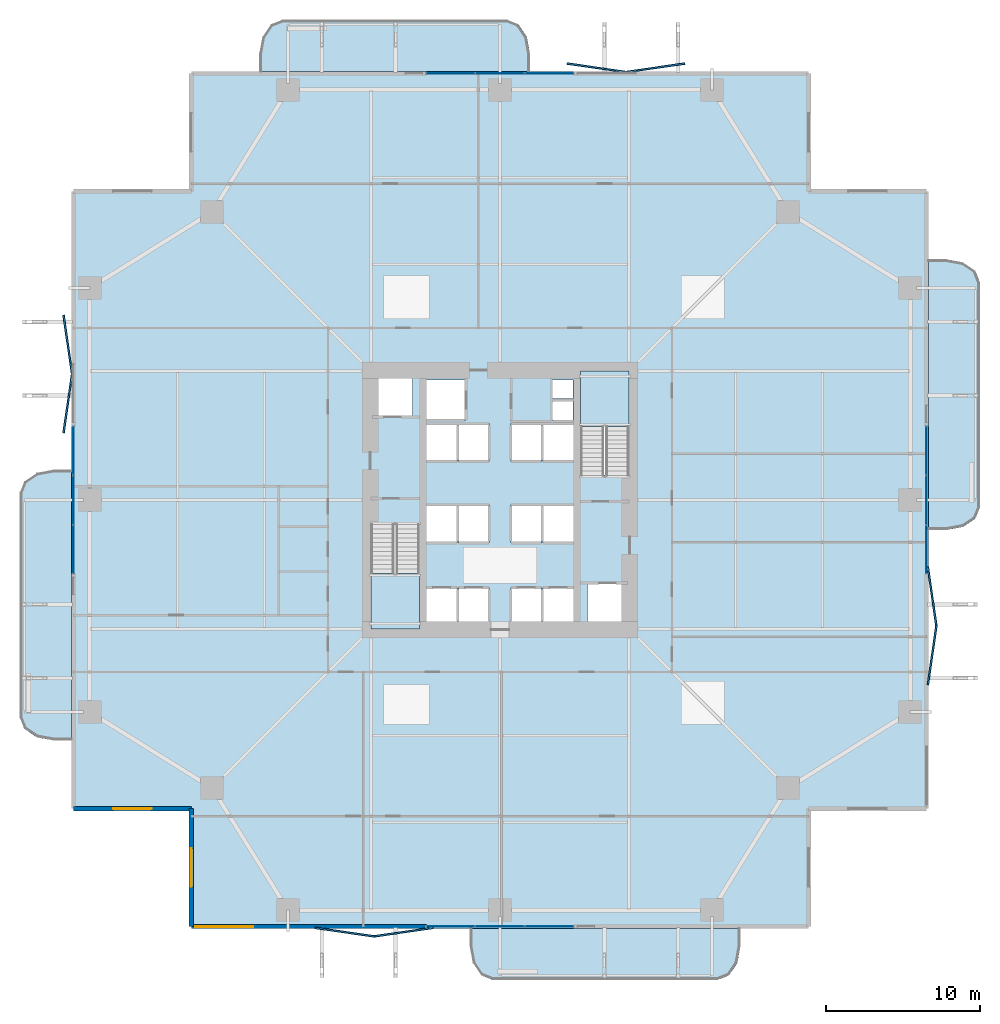
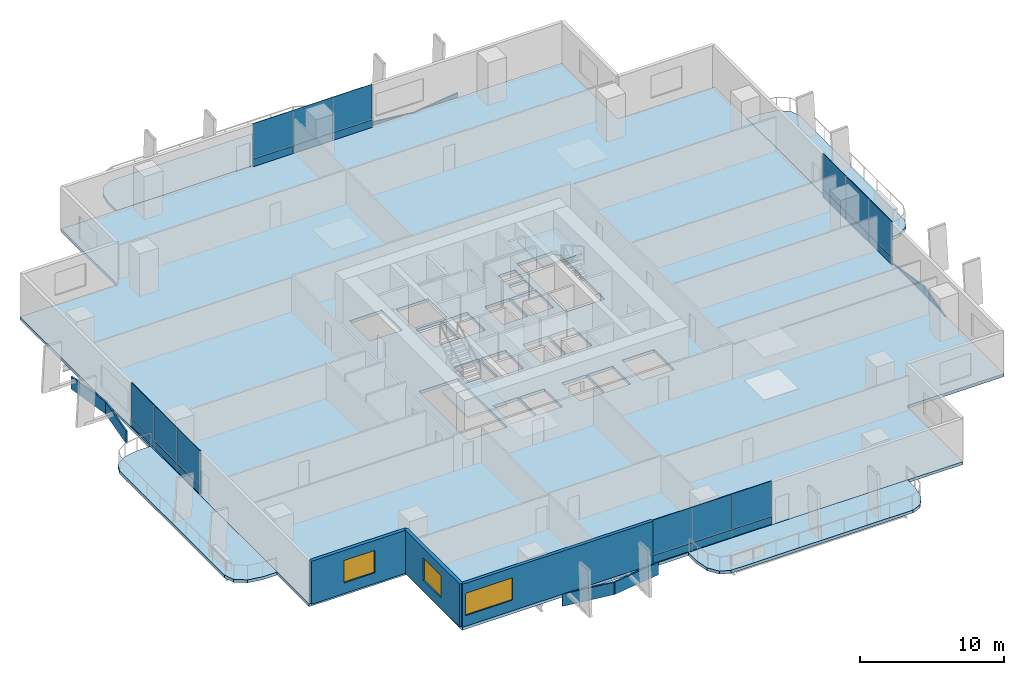
# One storey, part 16 of 24: 32 plates, 7 slabs, 3 walls, 3 windows, 3 openings, 6 elements without a shape of their own.
"""IFC4 building model written with IfcOpenShell, lengths in metres."""

from ifc_helpers import new_model, si_unit, direction, frame, frame_2d, origin, origin_2d, place, context, subcontext, project, spatial, polyline, rectangle, outline, extrude, material, layer, layer_set, type_object, element, fill, aggregate, save


model = new_model("IFC4")

# Units and contexts
model_context = context("Model", 3, precision=1e-05, world=origin(), true_north=direction((0.0, 1.0)))
body_context = subcontext(model_context, "Body", "Model", "MODEL_VIEW")
ifc_project = project(units=[si_unit("LENGTHUNIT", "METRE"), si_unit("AREAUNIT", "SQUARE_METRE"), si_unit("VOLUMEUNIT", "CUBIC_METRE"), si_unit("PLANEANGLEUNIT", "RADIAN"), si_unit("MASSUNIT", "GRAM", prefix="KILO")], contexts=[model_context])

# Site, building, storey
site_placement = place(None, origin())
site = spatial("IfcSite", under=ifc_project, at=site_placement, CompositionType="ELEMENT")
building_placement = place(site_placement, origin())
building = spatial("IfcBuilding", under=site, at=building_placement, Name="Belovzor Exchange Tower", CompositionType="ELEMENT")
storey_placement = place(building_placement, frame((0.0, 0.0, 49.5)))
storey = spatial("IfcBuildingStorey", under=building, at=storey_placement, Name="L11", CompositionType="ELEMENT", Elevation=49.5)

# Slab
ifc_material_1 = material(Name="Concrete C40/50", Category="concrete")
ifc_layer_1 = layer(ifc_material_1, 0.25)
ifc_layer_set_1 = layer_set([ifc_layer_1], Name="Concrete C40/50")
slab_type_1 = type_object("IfcSlabType", Name="Composite Concrete Floor Deck Slab 250", PredefinedType="FLOOR", material=ifc_layer_set_1)
slab_1_placement = place(storey_placement, frame((0.0, 0.0, -0.25)))
element("IfcSlab", 1, at=slab_1_placement, inside=storey, type_object=slab_type_1, Name="SL-F250 Structural Slab L11", PredefinedType="FLOOR", context=body_context, shape_type="SweptSolid", body=[
    extrude(outline(polyline([(8.699951171875, 0.89990234375), (48.89990234375, 0.89990234375), (48.89990234375, 8.699951171875), (56.699951171875, 8.699951171875), (56.699951171875, 48.89990234375), (48.89990234375, 48.89990234375), (48.89990234375, 56.699951171875), (8.699951171875, 56.699951171875), (8.699951171875, 48.89990234375), (0.89990234375, 48.89990234375), (0.89990234375, 8.699951171875), (8.699951171875, 8.699951171875), (8.699951171875, 0.89990234375)]), holes=[polyline([(20.39990234375, 27.175048828125), (20.39990234375, 20.39990234375), (23.550048828125, 20.39990234375), (23.550048828125, 27.175048828125), (20.39990234375, 27.175048828125)]), polyline([(37.199951171875, 30.425048828125), (37.199951171875, 37.199951171875), (34.050048828125, 37.199951171875), (34.050048828125, 30.425048828125), (37.199951171875, 30.425048828125)]), polyline([(20.5, 34.199951171875), (23.10009765625, 34.199951171875), (23.10009765625, 37.0), (20.5, 37.0), (20.5, 34.199951171875)]), polyline([(34.5, 20.60009765625), (37.10009765625, 20.60009765625), (37.10009765625, 23.39990234375), (34.5, 23.39990234375), (34.5, 20.60009765625)]), polyline([(24.0, 34.0), (26.60009765625, 34.0), (26.60009765625, 36.60009765625), (24.0, 36.60009765625), (24.0, 34.0)]), polyline([(24.0, 20.60009765625), (26.0, 20.60009765625), (26.0, 23.10009765625), (24.0, 23.10009765625), (24.0, 20.60009765625)]), polyline([(26.10009765625, 20.60009765625), (28.10009765625, 20.60009765625), (28.10009765625, 23.10009765625), (26.10009765625, 23.10009765625), (26.10009765625, 20.60009765625)]), polyline([(29.5, 20.60009765625), (31.5, 20.60009765625), (31.5, 23.10009765625), (29.5, 23.10009765625), (29.5, 20.60009765625)]), polyline([(31.60009765625, 20.60009765625), (33.60009765625, 20.60009765625), (33.60009765625, 23.10009765625), (31.60009765625, 23.10009765625), (31.60009765625, 20.60009765625)]), polyline([(24.0, 26.0), (26.0, 26.0), (26.0, 28.5), (24.0, 28.5), (24.0, 26.0)]), polyline([(26.10009765625, 26.0), (28.10009765625, 26.0), (28.10009765625, 28.5), (26.10009765625, 28.5), (26.10009765625, 26.0)]), polyline([(29.5, 26.0), (31.5, 26.0), (31.5, 28.5), (29.5, 28.5), (29.5, 26.0)]), polyline([(31.60009765625, 26.0), (33.60009765625, 26.0), (33.60009765625, 28.5), (31.60009765625, 28.5), (31.60009765625, 26.0)]), polyline([(24.0, 31.300048828125), (26.0, 31.300048828125), (26.0, 33.800048828125), (24.0, 33.800048828125), (24.0, 31.300048828125)]), polyline([(26.10009765625, 31.300048828125), (28.10009765625, 31.300048828125), (28.10009765625, 33.800048828125), (26.10009765625, 33.800048828125), (26.10009765625, 31.300048828125)]), polyline([(29.5, 31.300048828125), (31.5, 31.300048828125), (31.5, 33.800048828125), (29.5, 33.800048828125), (29.5, 31.300048828125)]), polyline([(31.60009765625, 31.300048828125), (33.60009765625, 31.300048828125), (33.60009765625, 33.800048828125), (31.60009765625, 33.800048828125), (31.60009765625, 31.300048828125)]), polyline([(32.199951171875, 34.0), (33.550048828125, 34.0), (33.550048828125, 35.199951171875), (32.199951171875, 35.199951171875), (32.199951171875, 34.0)]), polyline([(32.199951171875, 35.39990234375), (33.550048828125, 35.39990234375), (33.550048828125, 36.60009765625), (32.199951171875, 36.60009765625), (32.199951171875, 35.39990234375)])]), origin(), (0.0, 0.0, 1.0), 0.25),
])

# Plates
ifc_material_2 = material(Name="Extruded Architectural Terracotta", Category="masonry")
ifc_layer_2 = layer(ifc_material_2, 0.1201171875)
ifc_layer_set_2 = layer_set([ifc_layer_2], Name="Extruded Architectural Terracotta")
plate_type_1 = type_object("IfcPlateType", Name="Folded Zigzag Terracotta Spandrel Louvre 80", PredefinedType="USERDEFINED", material=ifc_layer_set_2)
for number, where, z_axis, x_axis, name in (
    (2, (18.699951171875, 0.6650390625, -1.03515625), (0.0, 0.0, 1.0), (0.989686419138, -0.143250800258, 0.0), "LVR-ZZ1 Zigzag Terracotta Spandrel Louvre L11 S1A"),
    (3, (22.5, 0.6650390625, -1.03515625), (0.0, 0.0, 1.0), (0.989686419138, 0.143250800258, 0.0), "LVR-ZZ1 Zigzag Terracotta Spandrel Louvre L11 S1B"),
    (4, (56.93505859375, 18.699951171875, -1.03515625), (0.0, 0.0, 1.0), (0.143250800258, 0.989686419138, 0.0), "LVR-ZZ1 Zigzag Terracotta Spandrel Louvre L11 E1A"),
    (5, (56.93505859375, 22.5, -1.03515625), (0.0, 0.0, 1.0), (-0.143250800258, 0.989686419138, 0.0), "LVR-ZZ1 Zigzag Terracotta Spandrel Louvre L11 E1B"),
    (6, (35.10009765625, 56.93505859375, -1.03515625), (0.0, 0.0, 1.0), (0.989686419138, -0.143250800258, 0.0), "LVR-ZZ1 Zigzag Terracotta Spandrel Louvre L11 N2A"),
    (7, (38.89990234375, 56.93505859375, -1.03515625), (0.0, 0.0, 1.0), (0.989686419138, 0.143250800258, 0.0), "LVR-ZZ1 Zigzag Terracotta Spandrel Louvre L11 N2B"),
    (8, (0.6650390625, 35.10009765625, -1.03515625), (0.0, 0.0, 1.0), (0.143250800258, 0.989686419138, 0.0), "LVR-ZZ1 Zigzag Terracotta Spandrel Louvre L11 W2A"),
    (9, (0.6650390625, 38.89990234375, -1.03515625), (0.0, 0.0, 1.0), (-0.143250800258, 0.989686419138, 0.0), "LVR-ZZ1 Zigzag Terracotta Spandrel Louvre L11 W2B"),
):
    element("IfcPlate", number, at=place(storey_placement, frame(where, z_axis=z_axis, x_axis=x_axis)), inside=storey, type_object=plate_type_1, Name=name, ObjectType="SPANDREL_LOUVRE", PredefinedType="USERDEFINED", context=body_context, shape_type="SweptSolid", body=[
        extrude(rectangle(XDim=3.919921875, YDim=0.1201171875, at=origin_2d()), origin(), (0.0, 0.0, 1.0), 1.050048828125),
    ])

# Curtain wall, plates
ifc_material_3 = material(Name="Anodised Aluminium Framing", Category="aluminium")
ifc_layer_3 = layer(ifc_material_3, 0.179931640625)
ifc_layer_set_3 = layer_set([ifc_layer_3], Name="Anodised Aluminium Framing")
curtain_wall_type = type_object("IfcCurtainWallType", Name="Recessed Loggia Low-Iron Triple-Glazed Curtain Wall", PredefinedType="NOTDEFINED", material=ifc_layer_set_3)
curtain_wall_1_placement = place(storey_placement, origin())
curtain_wall_1 = element("IfcCurtainWall", 10, at=curtain_wall_1_placement, inside=storey, type_object=curtain_wall_type, Name="CW3 Recessed Loggia Low-Iron Triple-Glazed Curtain Wall L11", PredefinedType="NOTDEFINED")
ifc_material_4 = material(Name="Solar-Control Triple Glazing", Category="glass")
ifc_layer_4 = layer(ifc_material_4, 0.0439453125)
ifc_layer_set_4 = layer_set([ifc_layer_4], Name="Solar-Control Triple Glazing")
plate_type_2 = type_object("IfcPlateType", Name="Insulated Solar Glazing Curtain Panel 44", PredefinedType="CURTAIN_PANEL", material=ifc_layer_set_4)
plate_1_placement = place(storey_placement, frame((32.0, 1.030029296875, 0.65185546875), z_axis=(0.0, 0.0, 1.0), x_axis=(-1.0, 0.0, 0.0)))
plate_1 = element("IfcPlate", 11, at=plate_1_placement, type_object=plate_type_2, Name="GLZ-44 Glazed Curtain Panel 1", PredefinedType="CURTAIN_PANEL", context=body_context, shape_type="SweptSolid", body=[
    extrude(rectangle(XDim=3.18408203125, YDim=0.0439453125, at=origin_2d()), origin(), (0.0, 0.0, 1.0), 2.998046875),
])
plate_2_placement = place(storey_placement, frame((28.800048828125, 1.030029296875, 0.65185546875), z_axis=(0.0, 0.0, 1.0), x_axis=(-1.0, 0.0, 0.0)))
plate_2 = element("IfcPlate", 12, at=plate_2_placement, type_object=plate_type_2, Name="GLZ-44 Glazed Curtain Panel 2", PredefinedType="CURTAIN_PANEL", context=body_context, shape_type="SweptSolid", body=[
    extrude(rectangle(XDim=3.18408203125, YDim=0.0439453125, at=origin_2d()), origin(), (0.0, 0.0, 1.0), 2.998046875),
])
plate_3_placement = place(storey_placement, frame((25.60009765625, 1.030029296875, 0.65185546875), z_axis=(0.0, 0.0, 1.0), x_axis=(-1.0, 0.0, 0.0)))
plate_3 = element("IfcPlate", 13, at=plate_3_placement, type_object=plate_type_2, Name="GLZ-44 Glazed Curtain Panel 3", PredefinedType="CURTAIN_PANEL", context=body_context, shape_type="SweptSolid", body=[
    extrude(rectangle(XDim=3.18408203125, YDim=0.0439453125, at=origin_2d()), origin(), (0.0, 0.0, 1.0), 2.998046875),
])

curtain_wall_2_placement = place(storey_placement, origin())
curtain_wall_2 = element("IfcCurtainWall", 14, at=curtain_wall_2_placement, inside=storey, type_object=curtain_wall_type, Name="CW3 Recessed Loggia Low-Iron Triple-Glazed Curtain Wall L11", PredefinedType="NOTDEFINED")
plate_4_placement = place(storey_placement, frame((25.60009765625, 56.570068359375, 0.65185546875), z_axis=(0.0, 0.0, 1.0), x_axis=(1.0, 0.0, 0.0)))
plate_4 = element("IfcPlate", 15, at=plate_4_placement, type_object=plate_type_2, Name="GLZ-44 Glazed Curtain Panel 1", PredefinedType="CURTAIN_PANEL", context=body_context, shape_type="SweptSolid", body=[
    extrude(rectangle(XDim=3.18408203125, YDim=0.0439453125, at=origin_2d()), origin(), (0.0, 0.0, 1.0), 2.998046875),
])
plate_5_placement = place(storey_placement, frame((28.800048828125, 56.570068359375, 0.65185546875), z_axis=(0.0, 0.0, 1.0), x_axis=(1.0, 0.0, 0.0)))
plate_5 = element("IfcPlate", 16, at=plate_5_placement, type_object=plate_type_2, Name="GLZ-44 Glazed Curtain Panel 2", PredefinedType="CURTAIN_PANEL", context=body_context, shape_type="SweptSolid", body=[
    extrude(rectangle(XDim=3.18408203125, YDim=0.0439453125, at=origin_2d()), origin(), (0.0, 0.0, 1.0), 2.998046875),
])
plate_6_placement = place(storey_placement, frame((32.0, 56.570068359375, 0.65185546875), z_axis=(0.0, 0.0, 1.0), x_axis=(1.0, 0.0, 0.0)))
plate_6 = element("IfcPlate", 17, at=plate_6_placement, type_object=plate_type_2, Name="GLZ-44 Glazed Curtain Panel 3", PredefinedType="CURTAIN_PANEL", context=body_context, shape_type="SweptSolid", body=[
    extrude(rectangle(XDim=3.18408203125, YDim=0.0439453125, at=origin_2d()), origin(), (0.0, 0.0, 1.0), 2.998046875),
])

curtain_wall_3_placement = place(storey_placement, origin())
curtain_wall_3 = element("IfcCurtainWall", 18, at=curtain_wall_3_placement, inside=storey, type_object=curtain_wall_type, Name="CW3 Recessed Loggia Low-Iron Triple-Glazed Curtain Wall L11", PredefinedType="NOTDEFINED")
plate_7_placement = place(storey_placement, frame((1.030029296875, 25.60009765625, 0.65185546875), z_axis=(0.0, 0.0, 1.0), x_axis=(0.0, 1.0, 0.0)))
plate_7 = element("IfcPlate", 19, at=plate_7_placement, type_object=plate_type_2, Name="GLZ-44 Glazed Curtain Panel 1", PredefinedType="CURTAIN_PANEL", context=body_context, shape_type="SweptSolid", body=[
    extrude(rectangle(XDim=3.18408203125, YDim=0.0439453125, at=origin_2d()), origin(), (0.0, 0.0, 1.0), 2.998046875),
])
plate_8_placement = place(storey_placement, frame((1.030029296875, 28.800048828125, 0.65185546875), z_axis=(0.0, 0.0, 1.0), x_axis=(0.0, 1.0, 0.0)))
plate_8 = element("IfcPlate", 20, at=plate_8_placement, type_object=plate_type_2, Name="GLZ-44 Glazed Curtain Panel 2", PredefinedType="CURTAIN_PANEL", context=body_context, shape_type="SweptSolid", body=[
    extrude(rectangle(XDim=3.18408203125, YDim=0.0439453125, at=origin_2d()), origin(), (0.0, 0.0, 1.0), 2.998046875),
])
plate_9_placement = place(storey_placement, frame((1.030029296875, 32.0, 0.65185546875), z_axis=(0.0, 0.0, 1.0), x_axis=(0.0, 1.0, 0.0)))
plate_9 = element("IfcPlate", 21, at=plate_9_placement, type_object=plate_type_2, Name="GLZ-44 Glazed Curtain Panel 3", PredefinedType="CURTAIN_PANEL", context=body_context, shape_type="SweptSolid", body=[
    extrude(rectangle(XDim=3.18408203125, YDim=0.0439453125, at=origin_2d()), origin(), (0.0, 0.0, 1.0), 2.998046875),
])

curtain_wall_4_placement = place(storey_placement, origin())
curtain_wall_4 = element("IfcCurtainWall", 22, at=curtain_wall_4_placement, inside=storey, type_object=curtain_wall_type, Name="CW3 Recessed Loggia Low-Iron Triple-Glazed Curtain Wall L11", PredefinedType="NOTDEFINED")
plate_10_placement = place(storey_placement, frame((56.570068359375, 32.0, 0.65185546875), z_axis=(0.0, 0.0, 1.0), x_axis=(0.0, -1.0, 0.0)))
plate_10 = element("IfcPlate", 23, at=plate_10_placement, type_object=plate_type_2, Name="GLZ-44 Glazed Curtain Panel 1", PredefinedType="CURTAIN_PANEL", context=body_context, shape_type="SweptSolid", body=[
    extrude(rectangle(XDim=3.18408203125, YDim=0.0439453125, at=origin_2d()), origin(), (0.0, 0.0, 1.0), 2.998046875),
])
plate_11_placement = place(storey_placement, frame((56.570068359375, 28.800048828125, 0.65185546875), z_axis=(0.0, 0.0, 1.0), x_axis=(0.0, -1.0, 0.0)))
plate_11 = element("IfcPlate", 24, at=plate_11_placement, type_object=plate_type_2, Name="GLZ-44 Glazed Curtain Panel 2", PredefinedType="CURTAIN_PANEL", context=body_context, shape_type="SweptSolid", body=[
    extrude(rectangle(XDim=3.18408203125, YDim=0.0439453125, at=origin_2d()), origin(), (0.0, 0.0, 1.0), 2.998046875),
])
plate_12_placement = place(storey_placement, frame((56.570068359375, 25.60009765625, 0.65185546875), z_axis=(0.0, 0.0, 1.0), x_axis=(0.0, -1.0, 0.0)))
plate_12 = element("IfcPlate", 25, at=plate_12_placement, type_object=plate_type_2, Name="GLZ-44 Glazed Curtain Panel 3", PredefinedType="CURTAIN_PANEL", context=body_context, shape_type="SweptSolid", body=[
    extrude(rectangle(XDim=3.18408203125, YDim=0.0439453125, at=origin_2d()), origin(), (0.0, 0.0, 1.0), 2.998046875),
])

# Stair, slab
ifc_material_5 = material(Name="Concrete C40/50", Category="concrete")
stair_type = type_object("IfcStairType", Name="Reinforced Concrete Dogleg Escape Stair 1350", PredefinedType="HALF_TURN_STAIR", material=ifc_material_5)
stair_1_placement = place(storey_placement, origin())
stair_1 = element("IfcStair", 26, at=stair_1_placement, inside=storey, type_object=stair_type, Name="L11 ST-1", PredefinedType="HALF_TURN_STAIR")
ifc_material_6 = material(Name="Concrete C40/50", Category="concrete")
ifc_layer_5 = layer(ifc_material_6, 0.199951171875)
ifc_layer_set_5 = layer_set([ifc_layer_5], Name="Concrete C40/50")
slab_type_2 = type_object("IfcSlabType", Name="Reinforced Concrete Stair Half-Landing Slab 200", PredefinedType="LANDING", material=ifc_layer_set_5)
slab_2_placement = place(storey_placement, frame((0.0, 0.0, 1.75)))
slab_2 = element("IfcSlab", 27, at=slab_2_placement, type_object=slab_type_2, Name="ST-1 landing 1", PredefinedType="LANDING", context=body_context, shape_type="SweptSolid", body=[
    extrude(outline(polyline([(20.39990234375, 24.010009765625), (20.39990234375, 20.39990234375), (23.550048828125, 20.39990234375), (23.550048828125, 24.010009765625), (20.39990234375, 24.010009765625)])), origin(), (0.0, 0.0, 1.0), 0.199951171875),
])
aggregate(stair_1, [slab_2])

stair_2_placement = place(storey_placement, origin())
stair_2 = element("IfcStair", 28, at=stair_2_placement, inside=storey, type_object=stair_type, Name="L11 ST-2", PredefinedType="HALF_TURN_STAIR")
slab_3_placement = place(storey_placement, frame((0.0, 0.0, 1.75)))
slab_3 = element("IfcSlab", 29, at=slab_3_placement, type_object=slab_type_2, Name="ST-2 landing 1", PredefinedType="LANDING", context=body_context, shape_type="SweptSolid", body=[
    extrude(outline(polyline([(37.199951171875, 33.590087890625), (37.199951171875, 37.199951171875), (34.050048828125, 37.199951171875), (34.050048828125, 33.590087890625), (37.199951171875, 33.590087890625)])), origin(), (0.0, 0.0, 1.0), 0.199951171875),
])
aggregate(stair_2, [slab_3])

# Plate
ifc_material_7 = material(Name="Extruded Architectural Terracotta", Category="masonry")
ifc_layer_6 = layer(ifc_material_7, 0.090087890625)
ifc_layer_set_6 = layer_set([ifc_layer_6], Name="Extruded Architectural Terracotta")
plate_type_3 = type_object("IfcPlateType", Name="Terracotta Shadow-Box Spandrel Panel 90", PredefinedType="CURTAIN_PANEL", material=ifc_layer_set_6)
plate_13_placement = place(storey_placement, frame((32.0, 1.030029296875, 0.0), z_axis=(0.0, 0.0, 1.0), x_axis=(-1.0, 0.0, 0.0)))
plate_13 = element("IfcPlate", 30, at=plate_13_placement, type_object=plate_type_3, Name="SPD-90 Spandrel Panel 1", PredefinedType="CURTAIN_PANEL", context=body_context, shape_type="SweptSolid", body=[
    extrude(rectangle(XDim=3.18408203125, YDim=0.090087890625, at=origin_2d()), origin(), (0.0, 0.0, 1.0), 0.64794921875),
])

plate_14_placement = place(storey_placement, frame((28.800048828125, 1.030029296875, 0.0), z_axis=(0.0, 0.0, 1.0), x_axis=(-1.0, 0.0, 0.0)))
plate_14 = element("IfcPlate", 31, at=plate_14_placement, type_object=plate_type_3, Name="SPD-90 Spandrel Panel 2", PredefinedType="CURTAIN_PANEL", context=body_context, shape_type="SweptSolid", body=[
    extrude(rectangle(XDim=3.18408203125, YDim=0.090087890625, at=origin_2d()), origin(), (0.0, 0.0, 1.0), 0.64794921875),
])

plate_15_placement = place(storey_placement, frame((25.60009765625, 1.030029296875, 0.0), z_axis=(0.0, 0.0, 1.0), x_axis=(-1.0, 0.0, 0.0)))
plate_15 = element("IfcPlate", 32, at=plate_15_placement, type_object=plate_type_3, Name="SPD-90 Spandrel Panel 3", PredefinedType="CURTAIN_PANEL", context=body_context, shape_type="SweptSolid", body=[
    extrude(rectangle(XDim=3.18408203125, YDim=0.090087890625, at=origin_2d()), origin(), (0.0, 0.0, 1.0), 0.64794921875),
])

aggregate(curtain_wall_1, [plate_13, plate_1, plate_14, plate_2, plate_15, plate_3])

plate_16_placement = place(storey_placement, frame((25.60009765625, 56.570068359375, 0.0), z_axis=(0.0, 0.0, 1.0), x_axis=(1.0, 0.0, 0.0)))
plate_16 = element("IfcPlate", 33, at=plate_16_placement, type_object=plate_type_3, Name="SPD-90 Spandrel Panel 1", PredefinedType="CURTAIN_PANEL", context=body_context, shape_type="SweptSolid", body=[
    extrude(rectangle(XDim=3.18408203125, YDim=0.090087890625, at=origin_2d()), origin(), (0.0, 0.0, 1.0), 0.64794921875),
])

plate_17_placement = place(storey_placement, frame((28.800048828125, 56.570068359375, 0.0), z_axis=(0.0, 0.0, 1.0), x_axis=(1.0, 0.0, 0.0)))
plate_17 = element("IfcPlate", 34, at=plate_17_placement, type_object=plate_type_3, Name="SPD-90 Spandrel Panel 2", PredefinedType="CURTAIN_PANEL", context=body_context, shape_type="SweptSolid", body=[
    extrude(rectangle(XDim=3.18408203125, YDim=0.090087890625, at=origin_2d()), origin(), (0.0, 0.0, 1.0), 0.64794921875),
])

plate_18_placement = place(storey_placement, frame((32.0, 56.570068359375, 0.0), z_axis=(0.0, 0.0, 1.0), x_axis=(1.0, 0.0, 0.0)))
plate_18 = element("IfcPlate", 35, at=plate_18_placement, type_object=plate_type_3, Name="SPD-90 Spandrel Panel 3", PredefinedType="CURTAIN_PANEL", context=body_context, shape_type="SweptSolid", body=[
    extrude(rectangle(XDim=3.18408203125, YDim=0.090087890625, at=origin_2d()), origin(), (0.0, 0.0, 1.0), 0.64794921875),
])

aggregate(curtain_wall_2, [plate_16, plate_4, plate_17, plate_5, plate_18, plate_6])

plate_19_placement = place(storey_placement, frame((1.030029296875, 25.60009765625, 0.0), z_axis=(0.0, 0.0, 1.0), x_axis=(0.0, 1.0, 0.0)))
plate_19 = element("IfcPlate", 36, at=plate_19_placement, type_object=plate_type_3, Name="SPD-90 Spandrel Panel 1", PredefinedType="CURTAIN_PANEL", context=body_context, shape_type="SweptSolid", body=[
    extrude(rectangle(XDim=3.18408203125, YDim=0.090087890625, at=origin_2d()), origin(), (0.0, 0.0, 1.0), 0.64794921875),
])

plate_20_placement = place(storey_placement, frame((1.030029296875, 28.800048828125, 0.0), z_axis=(0.0, 0.0, 1.0), x_axis=(0.0, 1.0, 0.0)))
plate_20 = element("IfcPlate", 37, at=plate_20_placement, type_object=plate_type_3, Name="SPD-90 Spandrel Panel 2", PredefinedType="CURTAIN_PANEL", context=body_context, shape_type="SweptSolid", body=[
    extrude(rectangle(XDim=3.18408203125, YDim=0.090087890625, at=origin_2d()), origin(), (0.0, 0.0, 1.0), 0.64794921875),
])

plate_21_placement = place(storey_placement, frame((1.030029296875, 32.0, 0.0), z_axis=(0.0, 0.0, 1.0), x_axis=(0.0, 1.0, 0.0)))
plate_21 = element("IfcPlate", 38, at=plate_21_placement, type_object=plate_type_3, Name="SPD-90 Spandrel Panel 3", PredefinedType="CURTAIN_PANEL", context=body_context, shape_type="SweptSolid", body=[
    extrude(rectangle(XDim=3.18408203125, YDim=0.090087890625, at=origin_2d()), origin(), (0.0, 0.0, 1.0), 0.64794921875),
])

aggregate(curtain_wall_3, [plate_19, plate_7, plate_20, plate_8, plate_21, plate_9])

plate_22_placement = place(storey_placement, frame((56.570068359375, 32.0, 0.0), z_axis=(0.0, 0.0, 1.0), x_axis=(0.0, -1.0, 0.0)))
plate_22 = element("IfcPlate", 39, at=plate_22_placement, type_object=plate_type_3, Name="SPD-90 Spandrel Panel 1", PredefinedType="CURTAIN_PANEL", context=body_context, shape_type="SweptSolid", body=[
    extrude(rectangle(XDim=3.18408203125, YDim=0.090087890625, at=origin_2d()), origin(), (0.0, 0.0, 1.0), 0.64794921875),
])

plate_23_placement = place(storey_placement, frame((56.570068359375, 28.800048828125, 0.0), z_axis=(0.0, 0.0, 1.0), x_axis=(0.0, -1.0, 0.0)))
plate_23 = element("IfcPlate", 40, at=plate_23_placement, type_object=plate_type_3, Name="SPD-90 Spandrel Panel 2", PredefinedType="CURTAIN_PANEL", context=body_context, shape_type="SweptSolid", body=[
    extrude(rectangle(XDim=3.18408203125, YDim=0.090087890625, at=origin_2d()), origin(), (0.0, 0.0, 1.0), 0.64794921875),
])

plate_24_placement = place(storey_placement, frame((56.570068359375, 25.60009765625, 0.0), z_axis=(0.0, 0.0, 1.0), x_axis=(0.0, -1.0, 0.0)))
plate_24 = element("IfcPlate", 41, at=plate_24_placement, type_object=plate_type_3, Name="SPD-90 Spandrel Panel 3", PredefinedType="CURTAIN_PANEL", context=body_context, shape_type="SweptSolid", body=[
    extrude(rectangle(XDim=3.18408203125, YDim=0.090087890625, at=origin_2d()), origin(), (0.0, 0.0, 1.0), 0.64794921875),
])

aggregate(curtain_wall_4, [plate_22, plate_10, plate_23, plate_11, plate_24, plate_12])

# Slabs
ifc_material_8 = material(Name="Concrete C40/50", Category="concrete")
ifc_layer_7 = layer(ifc_material_8, 0.25)
ifc_layer_set_7 = layer_set([ifc_layer_7], Name="Concrete C40/50")
slab_type_3 = type_object("IfcSlabType", Name="Thermally Broken Planted Balcony Slab 250", PredefinedType="FLOOR", material=ifc_layer_set_7)
slab_4_placement = place(storey_placement, frame((0.0, 0.0, -0.25)))
element("IfcSlab", 42, at=slab_4_placement, inside=storey, type_object=slab_type_3, Name="SL-BAL220 Planted Balcony Loggia L11 South", PredefinedType="FLOOR", context=body_context, shape_type="SweptSolid", body=[
    extrude(outline(polyline([(26.85009765625, 0.9150390625), (26.85009765625, -0.25), (27.051025390625, -1.35009765625), (27.60009765625, -2.155029296875), (28.35009765625, -2.449951171875), (42.949951171875, -2.449951171875), (43.699951171875, -2.155029296875), (44.2490234375, -1.35009765625), (44.449951171875, -0.25), (44.449951171875, 0.9150390625), (26.85009765625, 0.9150390625)])), origin(), (0.0, 0.0, 1.0), 0.25),
])
slab_5_placement = place(storey_placement, frame((0.0, 0.0, -0.25)))
element("IfcSlab", 43, at=slab_5_placement, inside=storey, type_object=slab_type_3, Name="SL-BAL220 Planted Balcony Loggia L11 North", PredefinedType="FLOOR", context=body_context, shape_type="SweptSolid", body=[
    extrude(outline(polyline([(30.75, 56.68505859375), (30.75, 57.85009765625), (30.549072265625, 58.949951171875), (30.0, 59.7548828125), (29.25, 60.050048828125), (14.64990234375, 60.050048828125), (13.89990234375, 59.7548828125), (13.35107421875, 58.949951171875), (13.14990234375, 57.85009765625), (13.14990234375, 56.68505859375), (30.75, 56.68505859375)])), origin(), (0.0, 0.0, 1.0), 0.25),
])
slab_6_placement = place(storey_placement, frame((0.0, 0.0, -0.25)))
element("IfcSlab", 44, at=slab_6_placement, inside=storey, type_object=slab_type_3, Name="SL-BAL220 Planted Balcony Loggia L11 East", PredefinedType="FLOOR", context=body_context, shape_type="SweptSolid", body=[
    extrude(outline(polyline([(56.68505859375, 26.85009765625), (57.85009765625, 26.85009765625), (58.949951171875, 27.051025390625), (59.7548828125, 27.60009765625), (60.050048828125, 28.35009765625), (60.050048828125, 42.949951171875), (59.7548828125, 43.699951171875), (58.949951171875, 44.2490234375), (57.85009765625, 44.449951171875), (56.68505859375, 44.449951171875), (56.68505859375, 26.85009765625)])), origin(), (0.0, 0.0, 1.0), 0.25),
])
slab_7_placement = place(storey_placement, frame((0.0, 0.0, -0.25)))
element("IfcSlab", 45, at=slab_7_placement, inside=storey, type_object=slab_type_3, Name="SL-BAL220 Planted Balcony Loggia L11 West", PredefinedType="FLOOR", context=body_context, shape_type="SweptSolid", body=[
    extrude(outline(polyline([(0.9150390625, 30.75), (-0.25, 30.75), (-1.35009765625, 30.549072265625), (-2.155029296875, 30.0), (-2.449951171875, 29.25), (-2.449951171875, 14.64990234375), (-2.155029296875, 13.89990234375), (-1.35009765625, 13.35107421875), (-0.25, 13.14990234375), (0.9150390625, 13.14990234375), (0.9150390625, 30.75)])), origin(), (0.0, 0.0, 1.0), 0.25),
])

# Wall, opening, window
ifc_material_9 = material(Name="Precast concrete C40/50", Category="concrete")
ifc_layer_8 = layer(ifc_material_9, 0.280029296875)
ifc_layer_set_8 = layer_set([ifc_layer_8], Name="Precast concrete C40/50")
wall_type_1 = type_object("IfcWallType", Name="Precast Concrete Notched Corner Frame Wall 280", PredefinedType="SOLIDWALL", material=ifc_layer_set_8)
wall_1_placement = place(storey_placement, frame((8.699951171875, 1.030029296875, 0.0), z_axis=(0.0, 0.0, 1.0), x_axis=(0.0, 1.0, 0.0)))
wall_1 = element("IfcWall", 46, at=wall_1_placement, inside=storey, type_object=wall_type_1, Name="W-CRN280 Precast Concrete Notched Corner Frame Wall 280 L11", PredefinedType="SOLIDWALL", context=body_context, shape_type="SweptSolid", body=[
    extrude(rectangle(XDim=7.669921875, YDim=0.280029296875, at=frame_2d((3.8349609375, 0.0))), origin(), (0.0, 0.0, 1.0), 3.64990234375),
])
opening_1_placement = place(wall_1_placement, frame((2.5849609375, 0.0, 0.89990234375)))
opening_1 = element("IfcOpeningElement", 47, at=opening_1_placement, cuts=wall_1, Name="Opening WN-CRN250", PredefinedType="OPENING", context=body_context, shape_type="SweptSolid", body=[
    extrude(rectangle(XDim=2.5, YDim=1.89990234375, at=frame_2d((1.25, 0.949951171875))), frame((0.0, 0.14990234375, 0.0), z_axis=(0.0, -1.0, 0.0), x_axis=(1.0, 0.0, 0.0)), (0.0, 0.0, 1.0), 0.300048828125),
])
ifc_material_10 = material(Name="Thermally Broken Aluminium and Triple Glazing", Category="aluminium")
window_type_1 = type_object("IfcWindowType", Name="Streamline Moderne Corner Wrap Ribbon Window 2500x1900", PartitioningType="SINGLE_PANEL", PredefinedType="WINDOW", material=ifc_material_10)
window_1_placement = place(opening_1_placement, origin())
window_1 = element("IfcWindow", 48, at=window_1_placement, inside=storey, type_object=window_type_1, Name="WN-CRN250 Streamline Moderne Corner Wrap Ribbon Window 2500x1900", OverallHeight=1.89990234375, OverallWidth=2.5, PartitioningType="SINGLE_PANEL", PredefinedType="WINDOW", context=body_context, shape_type="SweptSolid", body=[
    extrude(rectangle(XDim=2.5, YDim=1.89990234375, at=frame_2d((1.25, 0.949951171875))), frame((0.0, 0.030029296875, 0.0), z_axis=(0.0, -1.0, 0.0), x_axis=(1.0, 0.0, 0.0)), (0.0, 0.0, 1.0), 0.06005859375),
])
fill(opening_1, window_1)

wall_2_placement = place(storey_placement, frame((8.699951171875, 8.699951171875, 0.0), z_axis=(0.0, 0.0, 1.0), x_axis=(-1.0, 0.0, 0.0)))
wall_2 = element("IfcWall", 49, at=wall_2_placement, inside=storey, type_object=wall_type_1, Name="W-CRN280 Precast Concrete Notched Corner Frame Wall 280 L11", PredefinedType="SOLIDWALL", context=body_context, shape_type="SweptSolid", body=[
    extrude(rectangle(XDim=7.669921875, YDim=0.280029296875, at=frame_2d((3.8349609375, 0.0))), origin(), (0.0, 0.0, 1.0), 3.64990234375),
])
opening_2_placement = place(wall_2_placement, frame((2.5849609375, 0.0, 0.89990234375)))
opening_2 = element("IfcOpeningElement", 50, at=opening_2_placement, cuts=wall_2, Name="Opening WN-CRN250", PredefinedType="OPENING", context=body_context, shape_type="SweptSolid", body=[
    extrude(rectangle(XDim=2.5, YDim=1.89990234375, at=frame_2d((1.25, 0.949951171875))), frame((0.0, 0.14990234375, 0.0), z_axis=(0.0, -1.0, 0.0), x_axis=(1.0, 0.0, 0.0)), (0.0, 0.0, 1.0), 0.300048828125),
])
window_2_placement = place(opening_2_placement, origin())
window_2 = element("IfcWindow", 51, at=window_2_placement, inside=storey, type_object=window_type_1, Name="WN-CRN250 Streamline Moderne Corner Wrap Ribbon Window 2500x1900", OverallHeight=1.89990234375, OverallWidth=2.5, PartitioningType="SINGLE_PANEL", PredefinedType="WINDOW", context=body_context, shape_type="SweptSolid", body=[
    extrude(rectangle(XDim=2.5, YDim=1.89990234375, at=frame_2d((1.25, 0.949951171875))), frame((0.0, 0.030029296875, 0.0), z_axis=(0.0, -1.0, 0.0), x_axis=(1.0, 0.0, 0.0)), (0.0, 0.0, 1.0), 0.06005859375),
])
fill(opening_2, window_2)

ifc_material_11 = material(Name="Precast concrete C40/50", Category="concrete")
ifc_layer_9 = layer(ifc_material_11, 0.260009765625)
ifc_layer_set_9 = layer_set([ifc_layer_9], Name="Precast concrete C40/50")
wall_type_2 = type_object("IfcWallType", Name="Precast Concrete Perimeter Loggia Frame Wall 260", PredefinedType="SOLIDWALL", material=ifc_layer_set_9)
wall_3_placement = place(storey_placement, frame((24.0, 1.030029296875, 0.0), z_axis=(0.0, 0.0, 1.0), x_axis=(-1.0, 0.0, 0.0)))
wall_3 = element("IfcWall", 52, at=wall_3_placement, inside=storey, type_object=wall_type_2, Name="W-EXT260 Precast Concrete Perimeter Loggia Frame Wall 260 L11", PredefinedType="SOLIDWALL", context=body_context, shape_type="SweptSolid", body=[
    extrude(rectangle(XDim=15.300048828125, YDim=0.260009765625, at=frame_2d((7.64990234375, 0.0))), origin(), (0.0, 0.0, 1.0), 3.64990234375),
])
opening_3_placement = place(wall_3_placement, frame((11.25, 0.0, 0.89990234375)))
opening_3 = element("IfcOpeningElement", 53, at=opening_3_placement, cuts=wall_3, Name="Opening WN-RIB380", PredefinedType="OPENING", context=body_context, shape_type="SweptSolid", body=[
    extrude(rectangle(XDim=3.800048828125, YDim=1.89990234375, at=frame_2d((1.89990234375, 0.949951171875))), frame((0.0, 0.139892578125, 0.0), z_axis=(0.0, -1.0, 0.0), x_axis=(1.0, 0.0, 0.0)), (0.0, 0.0, 1.0), 0.280029296875),
])
ifc_material_12 = material(Name="Thermally Broken Aluminium and Triple Glazing", Category="aluminium")
window_type_2 = type_object("IfcWindowType", Name="Streamline Moderne Horizontal Ribbon Window 3800x1900", PartitioningType="SINGLE_PANEL", PredefinedType="WINDOW", material=ifc_material_12)
window_3_placement = place(opening_3_placement, origin())
window_3 = element("IfcWindow", 54, at=window_3_placement, inside=storey, type_object=window_type_2, Name="WN-RIB380 Streamline Moderne Horizontal Ribbon Window 3800x1900", OverallHeight=1.89990234375, OverallWidth=3.800048828125, PartitioningType="SINGLE_PANEL", PredefinedType="WINDOW", context=body_context, shape_type="SweptSolid", body=[
    extrude(rectangle(XDim=3.800048828125, YDim=1.89990234375, at=frame_2d((1.89990234375, 0.949951171875))), frame((0.0, 0.030029296875, 0.0), z_axis=(0.0, -1.0, 0.0), x_axis=(1.0, 0.0, 0.0)), (0.0, 0.0, 1.0), 0.06005859375),
])
fill(opening_3, window_3)

save(model, "model.ifc")
